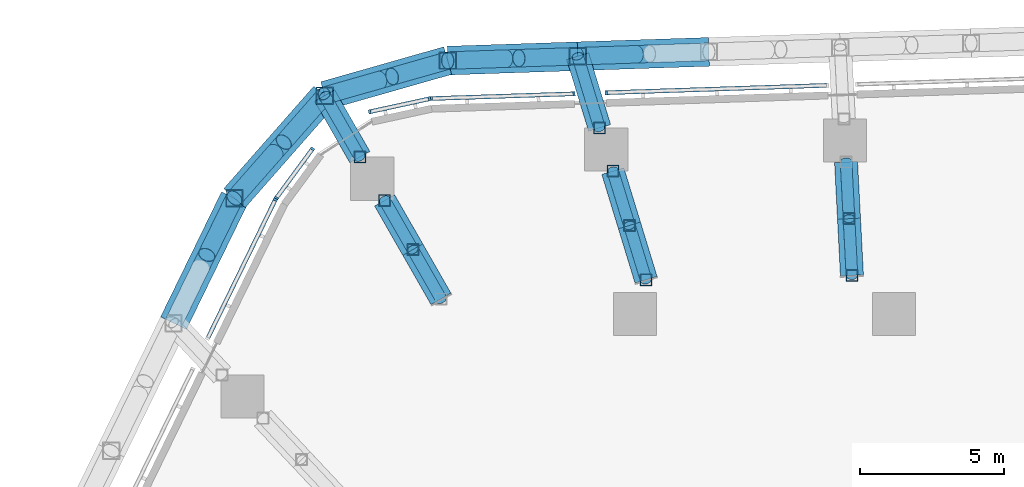
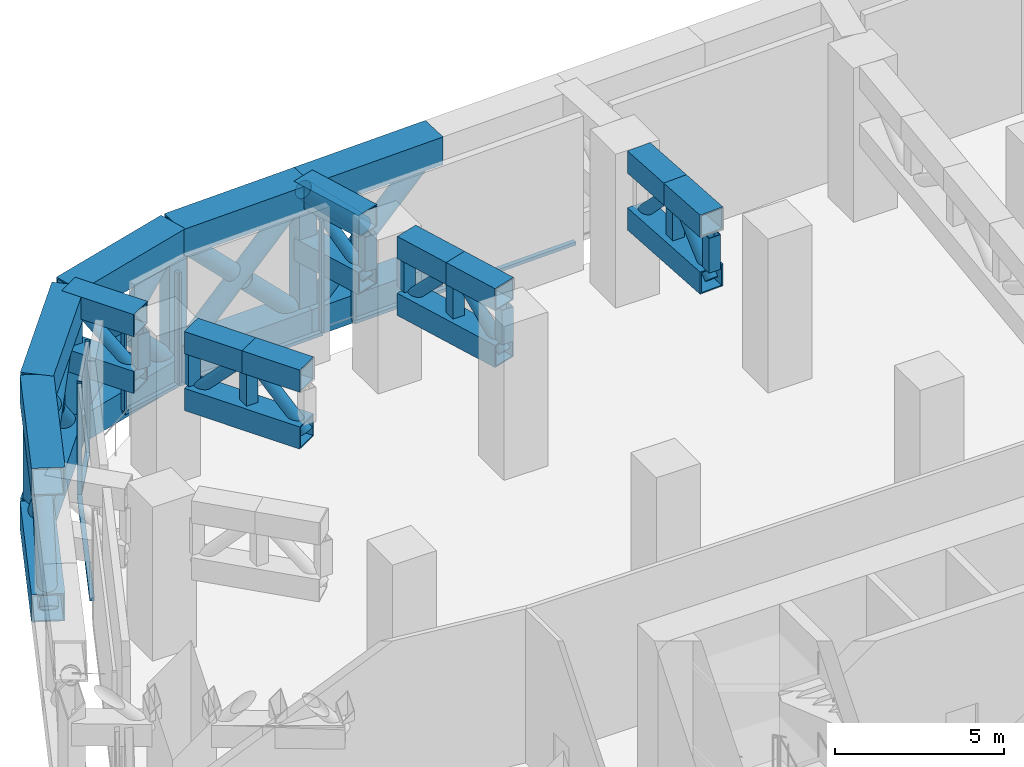
# One storey, part 13 of 38: 70 members, 3 elements without a shape of their own.
"""IFC4 building model written with IfcOpenShell, lengths in metres."""

import ifcopenshell
import ifcopenshell.guid

model = None  # the IFC model being written
_history = None  # IfcOwnerHistory: only IFC2X3 demands one
_inside = {}  # id of a spatial element -> (the spatial element, [elements in it])
_under = {}  # id of a project, library or spatial element -> (it, [spatial elements below it])
_declared = {}  # id of a project -> (the project, [libraries it declares])
_typed = {}  # id of a type object -> (the type object, [elements of that type])
_made_of = {}  # id of a material, layer set ... -> (it, [elements and type objects made of it])


def new_model(schema):
    """Start an empty IFC model of exactly this schema.

    Asked for "IFC4X3", IfcOpenShell would pick the latest addendum, in which some entities
    have other attributes; the version numbers below select the first issue.
    IFC2X3 requires an IfcOwnerHistory on every rooted entity: one is made here for all.
    """
    global model, _history
    if schema == "IFC4X3":
        model = ifcopenshell.file(schema_version=(4, 3, 0, 0))
    else:
        model = ifcopenshell.file(schema=schema)
    _inside.clear()
    _under.clear()
    _declared.clear()
    _typed.clear()
    _made_of.clear()
    _history = None
    if model.schema == "IFC2X3":
        org = make("IfcOrganization", Name="unknown")
        user = make(
            "IfcPersonAndOrganization",
            ThePerson=make("IfcPerson", FamilyName="unknown"),
            TheOrganization=org,
        )
        app = make(
            "IfcApplication",
            ApplicationDeveloper=org,
            Version="unknown",
            ApplicationFullName="unknown",
            ApplicationIdentifier="unknown",
        )
        _history = make(
            "IfcOwnerHistory",
            OwningUser=user,
            OwningApplication=app,
            ChangeAction="ADDED",
            CreationDate=0,
        )
    return model


def make(cls, **values):
    """One entity of the class cls with the attributes given. An attribute that is None is left unset."""
    return model.create_entity(
        cls, **{name: value for name, value in values.items() if value is not None}
    )


def rooted(cls, **values):
    """An entity with a GlobalId (a new one), such as an element, a storey or a relation."""
    return make(cls, GlobalId=ifcopenshell.guid.new(), OwnerHistory=_history, **values)


def si_unit(unit_type, name, prefix=None):
    """IfcSIUnit, for example si_unit("LENGTHUNIT", "METRE", prefix="MILLI")."""
    return make("IfcSIUnit", UnitType=unit_type, Prefix=prefix, Name=name)


def assignment(units):
    """IfcUnitAssignment: the units of a project."""
    return None if units is None else make("IfcUnitAssignment", Units=units)


def point(xyz):
    """IfcCartesianPoint."""
    return None if xyz is None else make("IfcCartesianPoint", Coordinates=xyz)


def direction(xyz):
    """IfcDirection."""
    return None if xyz is None else make("IfcDirection", DirectionRatios=xyz)


def frame(location, z_axis=None, x_axis=None):
    """IfcAxis2Placement3D, a coordinate frame: its origin and axes. An axis left out is left unset."""
    return make(
        "IfcAxis2Placement3D",
        Location=point(location),
        Axis=direction(z_axis),
        RefDirection=direction(x_axis),
    )


def frame_2d(location, x_axis=None):
    """IfcAxis2Placement2D, a coordinate frame in the plane: its origin and x axis."""
    return make(
        "IfcAxis2Placement2D", Location=point(location), RefDirection=direction(x_axis)
    )


def origin():
    """The frame at (0, 0, 0) with its axes left unset."""
    return frame((0.0, 0.0, 0.0))


def origin_2d():
    """The frame at (0, 0) in the plane with its x axis left unset."""
    return frame_2d((0.0, 0.0))


def place(relative_to, where):
    """IfcLocalPlacement: puts the frame where relative to a parent placement (None: the world)."""
    return make(
        "IfcLocalPlacement", PlacementRelTo=relative_to, RelativePlacement=where
    )


def context(
    kind, dimensions, precision=None, world=None, true_north=None, identifier=None
):
    """IfcGeometricRepresentationContext, for example the 3D "Model" context."""
    return make(
        "IfcGeometricRepresentationContext",
        ContextIdentifier=identifier,
        ContextType=kind,
        CoordinateSpaceDimension=dimensions,
        Precision=precision,
        WorldCoordinateSystem=world,
        TrueNorth=true_north,
    )


def subcontext(parent, identifier, kind, view, scale=None):
    """IfcGeometricRepresentationSubContext, for example "Body" below "Model"."""
    return make(
        "IfcGeometricRepresentationSubContext",
        ContextIdentifier=identifier,
        ContextType=kind,
        ParentContext=parent,
        TargetScale=scale,
        TargetView=view,
    )


def project(units=None, contexts=None):
    """IfcProject with its units and contexts."""
    return rooted(
        "IfcProject",
        Name="project",
        RepresentationContexts=contexts,
        UnitsInContext=assignment(units),
    )


def spatial(cls, under=None, at=None, **own):
    """A site, building, storey or space (cls), placed at a placement, below another one or the project."""
    s = rooted(cls, ObjectPlacement=at, **own)
    if under is not None:
        _under.setdefault(under.id(), (under, []))[1].append(s)
    return s


def profile(cls, at=None, kind="AREA", **sizes):
    """A parametric profile (cls). Its sizes go by their IFC names, for example OverallWidth=200.0."""
    return make(cls, ProfileType=kind, Position=at, **sizes)


def rectangle(**sizes):
    """IfcRectangleProfileDef."""
    return profile("IfcRectangleProfileDef", **sizes)


def hollow_rectangle(**sizes):
    """IfcRectangleHollowProfileDef."""
    return profile("IfcRectangleHollowProfileDef", **sizes)


def hollow_circle(**sizes):
    """IfcCircleHollowProfileDef."""
    return profile("IfcCircleHollowProfileDef", **sizes)


def extrude(swept, where, along, depth):
    """IfcExtrudedAreaSolid: the profile swept, set in the frame where, extruded along a direction by depth."""
    return make(
        "IfcExtrudedAreaSolid",
        SweptArea=swept,
        Position=where,
        ExtrudedDirection=direction(along),
        Depth=depth,
    )


def shape(context_of_items, identifier, shape_type, items):
    """IfcShapeRepresentation: the items that make up one representation, for example the "Body"."""
    return make(
        "IfcShapeRepresentation",
        ContextOfItems=context_of_items,
        RepresentationIdentifier=identifier,
        RepresentationType=shape_type,
        Items=items,
    )


def material(Name=None, Category=None):
    """IfcMaterial."""
    return make("IfcMaterial", Name=Name, Category=Category)


def layer(
    of_material, thickness, ventilated=None, Name=None, Category=None, Priority=None
):
    """IfcMaterialLayer: one layer of a wall or slab, of a material (None: an air gap)."""
    return make(
        "IfcMaterialLayer",
        Material=of_material,
        LayerThickness=thickness,
        IsVentilated=ventilated,
        Name=Name,
        Category=Category,
        Priority=Priority,
    )


def layer_set(layers, Name=None):
    """IfcMaterialLayerSet."""
    return make("IfcMaterialLayerSet", MaterialLayers=layers, LayerSetName=Name)


def material_profile(
    of_material, cross_section, Name=None, Category=None, Priority=None
):
    """IfcMaterialProfile: a cross section and its material."""
    return make(
        "IfcMaterialProfile",
        Name=Name,
        Material=of_material,
        Profile=cross_section,
        Priority=Priority,
        Category=Category,
    )


def profile_set(profiles, Name=None, composite=None):
    """IfcMaterialProfileSet."""
    return make(
        "IfcMaterialProfileSet",
        Name=Name,
        MaterialProfiles=profiles,
        CompositeProfile=composite,
    )


def made_of(thing, what):
    """Note that an element or type object is made of a material, layer set ...; save() writes the relation."""
    if what is not None:
        _made_of.setdefault(what.id(), (what, []))[1].append(thing)
    return thing


def type_object(cls, material=None, **own):
    """A type object (cls), such as IfcWallType, which elements share."""
    return made_of(rooted(cls, **own), material)


def element(
    cls,
    number,
    at=None,
    inside=None,
    cuts=None,
    type_object=None,
    material=None,
    context=None,
    identifier="Body",
    shape_type=None,
    held_by="IfcProductDefinitionShape",
    body=None,
    shapes=None,
    **own,
):
    """One element of the class cls, such as IfcWall. Its Tag is "e" and its number.

    at: its placement. inside: the storey or other place that contains it. cuts: it is an
    opening in that element (IfcRelVoidsElement). A single representation is given by context,
    identifier, shape_type and body (its items); several are given by shapes. held_by: the class
    of the entity that holds the representations. save() writes the other relations.
    """
    e = rooted(cls, Tag="e%d" % number, ObjectPlacement=at, **own)
    if body is not None:
        shapes = [shape(context, identifier, shape_type, body)]
    if shapes is not None:
        e.Representation = make(held_by, Representations=shapes)
    if inside is not None:
        _inside.setdefault(inside.id(), (inside, []))[1].append(e)
    if cuts is not None:
        rooted(
            "IfcRelVoidsElement", RelatingBuildingElement=cuts, RelatedOpeningElement=e
        )
    if type_object is not None:
        _typed.setdefault(type_object.id(), (type_object, []))[1].append(e)
    return made_of(e, material)


def aggregate(whole, parts):
    """IfcRelAggregates: a whole, such as a stair, and the parts it consists of."""
    return rooted("IfcRelAggregates", RelatingObject=whole, RelatedObjects=parts)


def save(model, path):
    """Write the relations noted so far, then the file.

    IfcRelAggregates (storeys below a building ...), IfcRelContainedInSpatialStructure (elements
    in a storey), IfcRelDefinesByType, IfcRelAssociatesMaterial and IfcRelDeclares: one each for
    every whole, place, type object, material and project.
    """
    for whole, parts in _under.values():
        aggregate(whole, parts)
    for where, things in _inside.values():
        rooted(
            "IfcRelContainedInSpatialStructure",
            RelatedElements=things,
            RelatingStructure=where,
        )
    for kind, things in _typed.values():
        rooted("IfcRelDefinesByType", RelatedObjects=things, RelatingType=kind)
    for what, things in _made_of.values():
        rooted("IfcRelAssociatesMaterial", RelatedObjects=things, RelatingMaterial=what)
    for by, libraries in _declared.values():
        rooted("IfcRelDeclares", RelatingContext=by, RelatedDefinitions=libraries)
    model.write(path)


model = new_model("IFC4")

# Units and contexts
model_context = context("Model", 3, precision=1e-05, world=origin(), true_north=direction((0.0, 1.0)))
body_context = subcontext(model_context, "Body", "Model", "MODEL_VIEW")
ifc_project = project(units=[si_unit("LENGTHUNIT", "METRE"), si_unit("AREAUNIT", "SQUARE_METRE"), si_unit("VOLUMEUNIT", "CUBIC_METRE"), si_unit("PLANEANGLEUNIT", "RADIAN"), si_unit("MASSUNIT", "GRAM", prefix="KILO")], contexts=[model_context])

# Site, building, storey
site_placement = place(None, origin())
site = spatial("IfcSite", under=ifc_project, at=site_placement, CompositionType="ELEMENT")
building_placement = place(site_placement, origin())
building = spatial("IfcBuilding", under=site, at=building_placement, Name="Dongbaek Canopy Tower", CompositionType="ELEMENT")
storey_placement = place(building_placement, frame((0.0, 0.0, 89.199951171875)))
storey = spatial("IfcBuildingStorey", under=building, at=storey_placement, Name="L18", CompositionType="ELEMENT", Elevation=89.199951171875)

# Members
ifc_material_1 = material(Name="Steel S355", Category="steel")
ifc_material_profile_1 = material_profile(ifc_material_1, hollow_circle(Radius=0.304931640625, WallThickness=0.01611328125, at=origin_2d()), Name="BELT BRACE CHS 610.0x16.0 Steel S355")
ifc_profile_set_1 = profile_set([ifc_material_profile_1], Name="Steel S355")
member_type_1 = type_object("IfcMemberType", Name="BELT BRACE CHS 610.0x16.0 Steel S355", PredefinedType="BRACE", material=ifc_profile_set_1)
member_1_placement = place(storey_placement, frame((-25.04638671875, 26.6796875, 0.5), z_axis=(0.319174364896, 0.654421465152, 0.68546354443), x_axis=(-0.898798543269, 0.438361926515, 0.0)))
element("IfcMember", 1, at=member_1_placement, inside=storey, type_object=member_type_1, Name="BELT:L18:12:D0:0", PredefinedType="BRACE", context=body_context, shape_type="SweptSolid", body=[
    extrude(hollow_circle(Radius=0.304931640625, WallThickness=0.01611328125, at=origin_2d()), origin(), (0.0, 0.0, 1.0), 6.637939453125),
])
member_2_placement = place(storey_placement, frame((-22.927734375, 31.023681640625, 0.5), z_axis=(-0.319119163322, -0.654441381394, 0.685470231243), x_axis=(0.898833668077, -0.438289900787, 0.0)))
element("IfcMember", 2, at=member_2_placement, inside=storey, type_object=member_type_1, Name="BELT:L18:12:D0:1", PredefinedType="BRACE", context=body_context, shape_type="SweptSolid", body=[
    extrude(hollow_circle(Radius=0.304931640625, WallThickness=0.01611328125, at=origin_2d()), origin(), (0.0, 0.0, 1.0), 3.013427734375),
])
member_3_placement = place(storey_placement, frame((-22.927734375, 31.023681640625, 0.5), z_axis=(0.476870518357, 0.542029951533, 0.691952339662), x_axis=(-0.750793087621, 0.660537462662, 0.0)))
element("IfcMember", 3, at=member_3_placement, inside=storey, type_object=member_type_1, Name="BELT:L18:12:D1:0", PredefinedType="BRACE", context=body_context, shape_type="SweptSolid", body=[
    extrude(hollow_circle(Radius=0.304931640625, WallThickness=0.01611328125, at=origin_2d()), origin(), (0.0, 0.0, 1.0), 6.57568359375),
])
member_4_placement = place(storey_placement, frame((-19.7919921875, 34.587890625, 0.5), z_axis=(-0.476863405216, -0.542016730062, 0.691967598301), x_axis=(0.750789983347, -0.660540991087, 0.0)))
element("IfcMember", 4, at=member_4_placement, inside=storey, type_object=member_type_1, Name="BELT:L18:12:D1:1", PredefinedType="BRACE", context=body_context, shape_type="SweptSolid", body=[
    extrude(hollow_circle(Radius=0.304931640625, WallThickness=0.01611328125, at=origin_2d()), origin(), (0.0, 0.0, 1.0), 2.982666015625),
])
member_5_placement = place(storey_placement, frame((-22.927734375, 31.023681640625, 5.050048828125), z_axis=(0.476827171293, 0.542068588549, -0.691951944882), x_axis=(-0.750846212177, 0.660477074287, 0.0)))
element("IfcMember", 5, at=member_5_placement, inside=storey, type_object=member_type_1, Name="BELT:L18:12:D1:2", PredefinedType="BRACE", context=body_context, shape_type="SweptSolid", body=[
    extrude(hollow_circle(Radius=0.304931640625, WallThickness=0.01611328125, at=origin_2d()), origin(), (0.0, 0.0, 1.0), 2.982421875),
])
member_6_placement = place(storey_placement, frame((-19.7919921875, 34.587890625, 0.5), z_axis=(0.672261416655, 0.191329152545, 0.715162738867), x_axis=(-0.273734842709, 0.961805196434, 0.0)))
element("IfcMember", 6, at=member_6_placement, inside=storey, type_object=member_type_1, Name="BELT:L18:13:D0:0", PredefinedType="BRACE", context=body_context, shape_type="SweptSolid", body=[
    extrude(hollow_circle(Radius=0.304931640625, WallThickness=0.01611328125, at=origin_2d()), origin(), (0.0, 0.0, 1.0), 6.3623046875),
])
member_7_placement = place(storey_placement, frame((-15.514892578125, 35.80517578125, 0.5), z_axis=(-0.672279612432, -0.191328061417, 0.715145926104), x_axis=(0.273726544913, -0.961807557992, 0.0)))
element("IfcMember", 7, at=member_7_placement, inside=storey, type_object=member_type_1, Name="BELT:L18:13:D0:1", PredefinedType="BRACE", context=body_context, shape_type="SweptSolid", body=[
    extrude(hollow_circle(Radius=0.304931640625, WallThickness=0.01611328125, at=origin_2d()), origin(), (0.0, 0.0, 1.0), 2.876220703125),
])
member_8_placement = place(storey_placement, frame((-19.7919921875, 34.587890625, 5.050048828125), z_axis=(0.672233088727, 0.191338979921, -0.715186737281), x_axis=(-0.273758520372, 0.961798457331, 0.0)))
element("IfcMember", 8, at=member_8_placement, inside=storey, type_object=member_type_1, Name="BELT:L18:13:D0:2", PredefinedType="BRACE", context=body_context, shape_type="SweptSolid", body=[
    extrude(hollow_circle(Radius=0.304931640625, WallThickness=0.01611328125, at=origin_2d()), origin(), (0.0, 0.0, 1.0), 2.8759765625),
])
member_9_placement = place(storey_placement, frame((-15.514892578125, 35.80517578125, 0.5), z_axis=(0.704336168829, 0.02356416001, 0.709475363661), x_axis=(-0.033437134863, 0.999440822666, 0.0)))
element("IfcMember", 9, at=member_9_placement, inside=storey, type_object=member_type_1, Name="BELT:L18:13:D1:0", PredefinedType="BRACE", context=body_context, shape_type="SweptSolid", body=[
    extrude(hollow_circle(Radius=0.304931640625, WallThickness=0.01611328125, at=origin_2d()), origin(), (0.0, 0.0, 1.0), 6.413330078125),
])
for number, where, z_axis, x_axis, name in (
    (10, (-10.997802734375, 35.956298828125, 0.5), (-0.704339575672, -0.023559321609, 0.709472142165), (0.03343011541, -0.999441057483, 0.0), "BELT:L18:13:D1:1"),
    (11, (-15.514892578125, 35.80517578125, 5.050048828125), (0.704339575672, 0.023559321609, -0.709472142165), (-0.03343011541, 0.999441057483, 0.0), "BELT:L18:13:D1:2"),
):
    element("IfcMember", number, at=place(storey_placement, frame(where, z_axis=z_axis, x_axis=x_axis)), inside=storey, type_object=member_type_1, Name=name, PredefinedType="BRACE", context=body_context, shape_type="SweptSolid", body=[
        extrude(hollow_circle(Radius=0.304931640625, WallThickness=0.01611328125, at=origin_2d()), origin(), (0.0, 0.0, 1.0), 2.901611328125),
    ])
member_10_placement = place(storey_placement, frame((-10.997802734375, 35.956298828125, 0.5), z_axis=(0.707798237892, 0.023676616286, 0.706017756348), x_axis=(-0.033432381372, 0.999440981687, 0.0)))
element("IfcMember", 12, at=member_10_placement, inside=storey, type_object=member_type_1, Name="BELT:L18:14:D0:0", PredefinedType="BRACE", context=body_context, shape_type="SweptSolid", body=[
    extrude(hollow_circle(Radius=0.304931640625, WallThickness=0.01611328125, at=origin_2d()), origin(), (0.0, 0.0, 1.0), 6.444580078125),
])
member_11_placement = place(storey_placement, frame((-10.997802734375, 35.956298828125, 5.050048828125), z_axis=(0.707786585212, 0.023682147507, -0.706029252711), x_axis=(-0.033440732886, 0.999440702285, 0.0)))
element("IfcMember", 13, at=member_11_placement, inside=storey, type_object=member_type_1, Name="BELT:L18:14:D0:2", PredefinedType="BRACE", context=body_context, shape_type="SweptSolid", body=[
    extrude(hollow_circle(Radius=0.304931640625, WallThickness=0.01611328125, at=origin_2d()), origin(), (0.0, 0.0, 1.0), 2.91748046875),
])
ifc_material_2 = material(Name="Steel S355", Category="steel")
ifc_material_profile_2 = material_profile(ifc_material_2, hollow_rectangle(XDim=1.0, YDim=1.0, WallThickness=0.050048828125, at=origin_2d()), Name="BELT CHORD BOX 1000x1000x50 Steel S355")
ifc_profile_set_2 = profile_set([ifc_material_profile_2], Name="Steel S355")
member_type_2 = type_object("IfcMemberType", Name="BELT CHORD BOX 1000x1000x50 Steel S355", PredefinedType="CHORD", material=ifc_profile_set_2)
for number, where, z_axis, x_axis, name in (
    (14, (-25.04638671875, 26.6796875, 0.5), (0.438361926515, 0.898798543269, 0.0), (-0.898798543269, 0.438361926515, 0.0), "BELT:L18:12:CB0"),
    (15, (-25.04638671875, 26.6796875, 5.050048828125), (0.438361926515, 0.898798543269, 0.0), (-0.898798543269, 0.438361926515, 0.0), "BELT:L18:12:CT0"),
):
    element("IfcMember", number, at=place(storey_placement, frame(where, z_axis=z_axis, x_axis=x_axis)), inside=storey, type_object=member_type_2, Name=name, PredefinedType="CHORD", context=body_context, shape_type="SweptSolid", body=[
        extrude(hollow_rectangle(XDim=1.0, YDim=1.0, WallThickness=0.050048828125, at=origin_2d()), origin(), (0.0, 0.0, 1.0), 4.8330078125),
    ])
for number, where, z_axis, x_axis, name in (
    (16, (-22.927734375, 31.023681640625, 0.5), (0.660537462662, 0.750793087621, 0.0), (-0.750793087621, 0.660537462662, 0.0), "BELT:L18:12:CB1"),
    (17, (-22.927734375, 31.023681640625, 5.050048828125), (0.660537462662, 0.750793087621, 0.0), (-0.750793087621, 0.660537462662, 0.0), "BELT:L18:12:CT1"),
):
    element("IfcMember", number, at=place(storey_placement, frame(where, z_axis=z_axis, x_axis=x_axis)), inside=storey, type_object=member_type_2, Name=name, PredefinedType="CHORD", context=body_context, shape_type="SweptSolid", body=[
        extrude(hollow_rectangle(XDim=1.0, YDim=1.0, WallThickness=0.050048828125, at=origin_2d()), origin(), (0.0, 0.0, 1.0), 4.747314453125),
    ])
for number, where, z_axis, x_axis, name in (
    (18, (-19.7919921875, 34.587890625, 0.5), (0.961805196434, 0.273734842709, 0.0), (-0.273734842709, 0.961805196434, 0.0), "BELT:L18:13:CB0"),
    (19, (-19.7919921875, 34.587890625, 5.050048828125), (0.961805196434, 0.273734842709, 0.0), (-0.273734842709, 0.961805196434, 0.0), "BELT:L18:13:CT0"),
):
    element("IfcMember", number, at=place(storey_placement, frame(where, z_axis=z_axis, x_axis=x_axis)), inside=storey, type_object=member_type_2, Name=name, PredefinedType="CHORD", context=body_context, shape_type="SweptSolid", body=[
        extrude(hollow_rectangle(XDim=1.0, YDim=1.0, WallThickness=0.050048828125, at=origin_2d()), origin(), (0.0, 0.0, 1.0), 4.447021484375),
    ])
for number, where, z_axis, x_axis, name in (
    (20, (-15.514892578125, 35.80517578125, 0.5), (0.999440822666, 0.033437134863, 0.0), (-0.033437134863, 0.999440822666, 0.0), "BELT:L18:13:CB1"),
    (21, (-15.514892578125, 35.80517578125, 5.050048828125), (0.999440822666, 0.033437134863, 0.0), (-0.033437134863, 0.999440822666, 0.0), "BELT:L18:13:CT1"),
):
    element("IfcMember", number, at=place(storey_placement, frame(where, z_axis=z_axis, x_axis=x_axis)), inside=storey, type_object=member_type_2, Name=name, PredefinedType="CHORD", context=body_context, shape_type="SweptSolid", body=[
        extrude(hollow_rectangle(XDim=1.0, YDim=1.0, WallThickness=0.050048828125, at=origin_2d()), origin(), (0.0, 0.0, 1.0), 4.51953125),
    ])
for number, where, z_axis, x_axis, name in (
    (22, (-10.997802734375, 35.956298828125, 0.5), (0.999440981687, 0.033432381372, 0.0), (-0.033432381372, 0.999440981687, 0.0), "BELT:L18:14:CB0"),
    (23, (-10.997802734375, 35.956298828125, 5.050048828125), (0.999440981687, 0.033432381372, 0.0), (-0.033432381372, 0.999440981687, 0.0), "BELT:L18:14:CT0"),
):
    element("IfcMember", number, at=place(storey_placement, frame(where, z_axis=z_axis, x_axis=x_axis)), inside=storey, type_object=member_type_2, Name=name, PredefinedType="CHORD", context=body_context, shape_type="SweptSolid", body=[
        extrude(hollow_rectangle(XDim=1.0, YDim=1.0, WallThickness=0.050048828125, at=origin_2d()), origin(), (0.0, 0.0, 1.0), 4.56396484375),
    ])
ifc_material_3 = material(Name="Steel S355", Category="steel")
ifc_material_profile_3 = material_profile(ifc_material_3, hollow_rectangle(XDim=0.60009765625, YDim=0.60009765625, WallThickness=0.031982421875, at=origin_2d()), Name="BELT POST BOX 600x600x32 Steel S355")
ifc_profile_set_3 = profile_set([ifc_material_profile_3], Name="Steel S355")
member_type_3 = type_object("IfcMemberType", Name="BELT POST BOX 600x600x32 Steel S355", PredefinedType="POST", material=ifc_profile_set_3)
for number, where, z_axis, x_axis, name in (
    (24, (-22.927734375, 31.023681640625, 1.0), (0.0, 0.0, 1.0), (1.0, 0.0, 0.0), "BELT:L18:12:P1"),
    (25, (-19.7919921875, 34.587890625, 1.0), (0.0, 0.0, 1.0), (1.0, 0.0, 0.0), "BELT:L18:13:P0"),
    (26, (-15.514892578125, 35.80517578125, 1.0), (0.0, 0.0, 1.0), (1.0, 0.0, 0.0), "BELT:L18:13:P1"),
    (27, (-10.997802734375, 35.956298828125, 1.0), (0.0, 0.0, 1.0), (1.0, 0.0, 0.0), "BELT:L18:14:P0"),
):
    element("IfcMember", number, at=place(storey_placement, frame(where, z_axis=z_axis, x_axis=x_axis)), inside=storey, type_object=member_type_3, Name=name, PredefinedType="POST", context=body_context, shape_type="SweptSolid", body=[
        extrude(hollow_rectangle(XDim=0.60009765625, YDim=0.60009765625, WallThickness=0.031982421875, at=origin_2d()), origin(), (0.0, 0.0, 1.0), 3.550048828125),
    ])
ifc_material_4 = material(Name="Steel S355", Category="steel")
ifc_material_profile_4 = material_profile(ifc_material_4, hollow_circle(Radius=0.203125, WallThickness=0.0126953125, at=origin_2d()), Name="BRACE CHS 406.4x12.7 Steel S355")
ifc_profile_set_4 = profile_set([ifc_material_profile_4], Name="Steel S355")
member_type_4 = type_object("IfcMemberType", Name="BRACE CHS 406.4x12.7 Steel S355", PredefinedType="BRACE", material=ifc_profile_set_4)
member_12_placement = place(storey_placement, frame((-15.748046875, 27.5205078125, 3.10009765625), z_axis=(-0.344588273566, 0.602214747879, 0.720136319844), x_axis=(-0.867953949361, -0.496644683642, 0.0)))
element("IfcMember", 28, at=member_12_placement, inside=storey, type_object=member_type_4, Name="TRUSS:L18:13:D0", PredefinedType="BRACE", context=body_context, shape_type="SweptSolid", body=[
    extrude(hollow_circle(Radius=0.203125, WallThickness=0.0126953125, at=origin_2d()), origin(), (0.0, 0.0, 1.0), 2.8466796875),
])
member_13_placement = place(storey_placement, frame((-16.72900390625, 29.23486328125, 5.150146484375), z_axis=(-0.344530486524, 0.602177880479, -0.720194795953), x_axis=(-0.867976746128, -0.496604841076, 0.0)))
element("IfcMember", 29, at=member_13_placement, inside=storey, type_object=member_type_4, Name="TRUSS:L18:13:D1", PredefinedType="BRACE", context=body_context, shape_type="SweptSolid", body=[
    extrude(hollow_circle(Radius=0.203125, WallThickness=0.0126953125, at=origin_2d()), origin(), (0.0, 0.0, 1.0), 2.846435546875),
])
for number, where, z_axis, x_axis, name in (
    (30, (-8.621337890625, 28.186767578125, 3.10009765625), (-0.202917697493, 0.663470544296, 0.720160568828), (-0.956274770257, -0.292469765567, 0.0), "TRUSS:L18:14:D0"),
    (31, (-9.198974609375, 30.075439453125, 5.150146484375), (-0.202917697493, 0.663470544296, -0.720160568828), (-0.956274770257, -0.292469765567, 0.0), "TRUSS:L18:14:D1"),
):
    element("IfcMember", number, at=place(storey_placement, frame(where, z_axis=z_axis, x_axis=x_axis)), inside=storey, type_object=member_type_4, Name=name, PredefinedType="BRACE", context=body_context, shape_type="SweptSolid", body=[
        extrude(hollow_circle(Radius=0.203125, WallThickness=0.0126953125, at=origin_2d()), origin(), (0.0, 0.0, 1.0), 2.8466796875),
    ])
member_14_placement = place(storey_placement, frame((-1.465087890625, 28.33740234375, 3.10009765625), z_axis=(-0.035851322243, 0.692839667657, 0.720199887264), x_axis=(-0.998663885152, -0.051676343649, 0.0)))
element("IfcMember", 32, at=member_14_placement, inside=storey, type_object=member_type_4, Name="TRUSS:L18:15:D0", PredefinedType="BRACE", context=body_context, shape_type="SweptSolid", body=[
    extrude(hollow_circle(Radius=0.203125, WallThickness=0.0126953125, at=origin_2d()), origin(), (0.0, 0.0, 1.0), 2.846435546875),
])
member_15_placement = place(storey_placement, frame((-1.567138671875, 30.3095703125, 5.150146484375), z_axis=(-0.035849191873, 0.692884261114, -0.720157091295), x_axis=(-0.998664215232, -0.051669964348, 0.0)))
element("IfcMember", 33, at=member_15_placement, inside=storey, type_object=member_type_4, Name="TRUSS:L18:15:D1", PredefinedType="BRACE", context=body_context, shape_type="SweptSolid", body=[
    extrude(hollow_circle(Radius=0.203125, WallThickness=0.0126953125, at=origin_2d()), origin(), (0.0, 0.0, 1.0), 2.8466796875),
])
member_16_placement = place(storey_placement, frame((-18.568115234375, 32.448974609375, 3.10009765625), z_axis=(-0.381799626279, 0.667254443612, 0.639531510446), x_axis=(-0.867956455015, -0.496640304645, 0.0)))
element("IfcMember", 34, at=member_16_placement, inside=storey, type_object=member_type_4, Name="TRUSS:L18:13x:D0", PredefinedType="BRACE", context=body_context, shape_type="SweptSolid", body=[
    extrude(hollow_circle(Radius=0.203125, WallThickness=0.0126953125, at=origin_2d()), origin(), (0.0, 0.0, 1.0), 3.20556640625),
])
member_17_placement = place(storey_placement, frame((-10.2353515625, 33.464111328125, 3.10009765625), z_axis=(-0.229939623866, 0.751592596999, 0.618252648609), x_axis=(-0.9562497051, -0.292551707389, 0.0)))
element("IfcMember", 35, at=member_17_placement, inside=storey, type_object=member_type_4, Name="TRUSS:L18:14x:D0", PredefinedType="BRACE", context=body_context, shape_type="SweptSolid", body=[
    extrude(hollow_circle(Radius=0.203125, WallThickness=0.0126953125, at=origin_2d()), origin(), (0.0, 0.0, 1.0), 3.31591796875),
])
ifc_material_5 = material(Name="Steel S355", Category="steel")
ifc_material_profile_5 = material_profile(ifc_material_5, hollow_rectangle(XDim=0.800048828125, YDim=0.800048828125, WallThickness=0.0400390625, at=origin_2d()), Name="CHORD BOX 800x800x40 Steel S355")
ifc_profile_set_5 = profile_set([ifc_material_profile_5], Name="Steel S355")
member_type_5 = type_object("IfcMemberType", Name="CHORD BOX 800x800x40 Steel S355", PredefinedType="CHORD", material=ifc_profile_set_5)
member_18_placement = place(storey_placement, frame((-15.748046875, 27.5205078125, 3.10009765625), z_axis=(-0.49662476417, 0.867965347012, 0.0), x_axis=(-0.867965347012, -0.49662476417, 0.0)))
element("IfcMember", 36, at=member_18_placement, inside=storey, type_object=member_type_5, Name="TRUSS:L18:13:CB", PredefinedType="CHORD", context=body_context, shape_type="SweptSolid", body=[
    extrude(hollow_rectangle(XDim=0.800048828125, YDim=0.800048828125, WallThickness=0.0400390625, at=origin_2d()), origin(), (0.0, 0.0, 1.0), 3.949951171875),
])
member_19_placement = place(storey_placement, frame((-15.748046875, 27.5205078125, 5.150146484375), z_axis=(-0.496644683642, 0.867953949361, 0.0), x_axis=(-0.867953949361, -0.496644683642, 0.0)))
element("IfcMember", 37, at=member_19_placement, inside=storey, type_object=member_type_5, Name="TRUSS:L18:13:CT0", PredefinedType="CHORD", context=body_context, shape_type="SweptSolid", body=[
    extrude(hollow_rectangle(XDim=0.800048828125, YDim=0.800048828125, WallThickness=0.0400390625, at=origin_2d()), origin(), (0.0, 0.0, 1.0), 1.97509765625),
])
member_20_placement = place(storey_placement, frame((-16.72900390625, 29.23486328125, 5.150146484375), z_axis=(-0.496604841076, 0.867976746128, 0.0), x_axis=(-0.867976746128, -0.496604841076, 0.0)))
element("IfcMember", 38, at=member_20_placement, inside=storey, type_object=member_type_5, Name="TRUSS:L18:13:CT1", PredefinedType="CHORD", context=body_context, shape_type="SweptSolid", body=[
    extrude(hollow_rectangle(XDim=0.800048828125, YDim=0.800048828125, WallThickness=0.0400390625, at=origin_2d()), origin(), (0.0, 0.0, 1.0), 1.974853515625),
])
member_21_placement = place(storey_placement, frame((-8.621337890625, 28.186767578125, 3.10009765625), z_axis=(-0.292469765567, 0.956274770257, 0.0), x_axis=(-0.956274770257, -0.292469765567, 0.0)))
element("IfcMember", 39, at=member_21_placement, inside=storey, type_object=member_type_5, Name="TRUSS:L18:14:CB", PredefinedType="CHORD", context=body_context, shape_type="SweptSolid", body=[
    extrude(hollow_rectangle(XDim=0.800048828125, YDim=0.800048828125, WallThickness=0.0400390625, at=origin_2d()), origin(), (0.0, 0.0, 1.0), 3.949951171875),
])
for number, where, z_axis, x_axis, name in (
    (40, (-8.621337890625, 28.186767578125, 5.150146484375), (-0.292469765567, 0.956274770257, 0.0), (-0.956274770257, -0.292469765567, 0.0), "TRUSS:L18:14:CT0"),
    (41, (-9.198974609375, 30.075439453125, 5.150146484375), (-0.292469765567, 0.956274770257, 0.0), (-0.956274770257, -0.292469765567, 0.0), "TRUSS:L18:14:CT1"),
):
    element("IfcMember", number, at=place(storey_placement, frame(where, z_axis=z_axis, x_axis=x_axis)), inside=storey, type_object=member_type_5, Name=name, PredefinedType="CHORD", context=body_context, shape_type="SweptSolid", body=[
        extrude(hollow_rectangle(XDim=0.800048828125, YDim=0.800048828125, WallThickness=0.0400390625, at=origin_2d()), origin(), (0.0, 0.0, 1.0), 1.97509765625),
    ])
member_22_placement = place(storey_placement, frame((-1.465087890625, 28.33740234375, 3.10009765625), z_axis=(-0.051673153802, 0.998664050207, 0.0), x_axis=(-0.998664050207, -0.051673153802, 0.0)))
element("IfcMember", 42, at=member_22_placement, inside=storey, type_object=member_type_5, Name="TRUSS:L18:15:CB", PredefinedType="CHORD", context=body_context, shape_type="SweptSolid", body=[
    extrude(hollow_rectangle(XDim=0.800048828125, YDim=0.800048828125, WallThickness=0.0400390625, at=origin_2d()), origin(), (0.0, 0.0, 1.0), 3.949951171875),
])
member_23_placement = place(storey_placement, frame((-1.465087890625, 28.33740234375, 5.150146484375), z_axis=(-0.051676343649, 0.998663885152, 0.0), x_axis=(-0.998663885152, -0.051676343649, 0.0)))
element("IfcMember", 43, at=member_23_placement, inside=storey, type_object=member_type_5, Name="TRUSS:L18:15:CT0", PredefinedType="CHORD", context=body_context, shape_type="SweptSolid", body=[
    extrude(hollow_rectangle(XDim=0.800048828125, YDim=0.800048828125, WallThickness=0.0400390625, at=origin_2d()), origin(), (0.0, 0.0, 1.0), 1.974853515625),
])
member_24_placement = place(storey_placement, frame((-1.567138671875, 30.3095703125, 5.150146484375), z_axis=(-0.051669964348, 0.998664215232, 0.0), x_axis=(-0.998664215232, -0.051669964348, 0.0)))
element("IfcMember", 44, at=member_24_placement, inside=storey, type_object=member_type_5, Name="TRUSS:L18:15:CT1", PredefinedType="CHORD", context=body_context, shape_type="SweptSolid", body=[
    extrude(hollow_rectangle(XDim=0.800048828125, YDim=0.800048828125, WallThickness=0.0400390625, at=origin_2d()), origin(), (0.0, 0.0, 1.0), 1.97509765625),
])
for number, where, z_axis, x_axis, name in (
    (45, (-18.568115234375, 32.448974609375, 3.10009765625), (-0.496640304645, 0.867956455015, 0.0), (-0.867956455015, -0.496640304645, 0.0), "TRUSS:L18:13x:CB"),
    (46, (-18.568115234375, 32.448974609375, 5.150146484375), (-0.496640304645, 0.867956455015, 0.0), (-0.867956455015, -0.496640304645, 0.0), "TRUSS:L18:13x:CT0"),
):
    element("IfcMember", number, at=place(storey_placement, frame(where, z_axis=z_axis, x_axis=x_axis)), inside=storey, type_object=member_type_5, Name=name, PredefinedType="CHORD", context=body_context, shape_type="SweptSolid", body=[
        extrude(hollow_rectangle(XDim=0.800048828125, YDim=0.800048828125, WallThickness=0.0400390625, at=origin_2d()), origin(), (0.0, 0.0, 1.0), 2.46435546875),
    ])
for number, where, z_axis, x_axis, name in (
    (47, (-10.2353515625, 33.464111328125, 3.10009765625), (-0.292551707389, 0.9562497051, 0.0), (-0.9562497051, -0.292551707389, 0.0), "TRUSS:L18:14x:CB"),
    (48, (-10.2353515625, 33.464111328125, 5.150146484375), (-0.292551707389, 0.9562497051, 0.0), (-0.9562497051, -0.292551707389, 0.0), "TRUSS:L18:14x:CT0"),
):
    element("IfcMember", number, at=place(storey_placement, frame(where, z_axis=z_axis, x_axis=x_axis)), inside=storey, type_object=member_type_5, Name=name, PredefinedType="CHORD", context=body_context, shape_type="SweptSolid", body=[
        extrude(hollow_rectangle(XDim=0.800048828125, YDim=0.800048828125, WallThickness=0.0400390625, at=origin_2d()), origin(), (0.0, 0.0, 1.0), 2.606201171875),
    ])

# Curtain wall, members
ifc_material_6 = material(Name="Aluminium 6063-T6 pale anodised", Category="aluminium")
ifc_layer = layer(ifc_material_6, 0.14990234375)
ifc_layer_set = layer_set([ifc_layer], Name="CW-7 louvre curtain wall")
curtain_wall_type = type_object("IfcCurtainWallType", Name="CW-7 louvre curtain wall", PredefinedType="NOTDEFINED", material=ifc_layer_set)
curtain_wall_1_placement = place(storey_placement, origin())
curtain_wall_1 = element("IfcCurtainWall", 49, at=curtain_wall_1_placement, inside=storey, type_object=curtain_wall_type, Name="CW-7 louvre wall L18 F1", PredefinedType="NOTDEFINED")
ifc_material_7 = material(Name="Aluminium 6063-T6 pale anodised", Category="aluminium")
ifc_material_profile_6 = material_profile(ifc_material_7, rectangle(XDim=0.14990234375, YDim=0.080078125, at=origin_2d()), Name="CW-7 mullion 80 x 150")
ifc_profile_set_6 = profile_set([ifc_material_profile_6], Name="Aluminium 6063-T6 pale anodised")
member_type_6 = type_object("IfcMemberType", Name="CW-7 mullion 80 x 150", PredefinedType="MULLION", material=ifc_profile_set_6)
member_25_placement = place(storey_placement, frame((-10.009765625, 34.688720703125, 0.775146484375), z_axis=(0.0, 0.0, 1.0), x_axis=(-0.033442077166, 0.999440657305, 0.0)))
member_25 = element("IfcMember", 50, at=member_25_placement, type_object=member_type_6, Name="CW-7 mullion L18 F1.3.2", PredefinedType="MULLION", context=body_context, shape_type="SweptSolid", body=[
    extrude(rectangle(XDim=0.14990234375, YDim=0.080078125, at=origin_2d()), origin(), (0.0, 0.0, 1.0), 4.0),
])
member_26_placement = place(storey_placement, frame((-11.123779296875, 34.6513671875, 0.775146484375), z_axis=(0.0, 0.0, 1.0), x_axis=(-0.033442077166, 0.999440657305, 0.0)))
member_26 = element("IfcMember", 51, at=member_26_placement, type_object=member_type_6, Name="CW-7 mullion L18 F1.4.1", PredefinedType="MULLION", context=body_context, shape_type="SweptSolid", body=[
    extrude(rectangle(XDim=0.14990234375, YDim=0.080078125, at=origin_2d()), origin(), (0.0, 0.0, 1.0), 4.0),
])
member_27_placement = place(storey_placement, frame((-16.0859375, 34.4853515625, 0.775146484375), z_axis=(0.0, 0.0, 1.0), x_axis=(-0.033442077166, 0.999440657305, 0.0)))
member_27 = element("IfcMember", 52, at=member_27_placement, type_object=member_type_6, Name="CW-7 mullion L18 F1.4.2", PredefinedType="MULLION", context=body_context, shape_type="SweptSolid", body=[
    extrude(rectangle(XDim=0.14990234375, YDim=0.080078125, at=origin_2d()), origin(), (0.0, 0.0, 1.0), 4.0),
])

curtain_wall_2_placement = place(storey_placement, origin())
curtain_wall_2 = element("IfcCurtainWall", 53, at=curtain_wall_2_placement, inside=storey, type_object=curtain_wall_type, Name="CW-7 louvre wall L18 K2", PredefinedType="NOTDEFINED")
member_28_placement = place(storey_placement, frame((-16.148681640625, 34.4775390625, 0.775146484375), z_axis=(0.0, 0.0, 1.0), x_axis=(-0.212419253442, 0.977178622754, 0.0)))
member_28 = element("IfcMember", 54, at=member_28_placement, type_object=member_type_6, Name="CW-7 mullion L18 K2.1.1", PredefinedType="MULLION", context=body_context, shape_type="SweptSolid", body=[
    extrude(rectangle(XDim=0.14990234375, YDim=0.080078125, at=origin_2d()), origin(), (0.0, 0.0, 1.0), 4.0),
])
member_29_placement = place(storey_placement, frame((-18.228271484375, 34.025634765625, 0.775146484375), z_axis=(0.0, 0.0, 1.0), x_axis=(-0.212419253442, 0.977178622754, 0.0)))
member_29 = element("IfcMember", 55, at=member_29_placement, type_object=member_type_6, Name="CW-7 mullion L18 K2.1.2", PredefinedType="MULLION", context=body_context, shape_type="SweptSolid", body=[
    extrude(rectangle(XDim=0.14990234375, YDim=0.080078125, at=origin_2d()), origin(), (0.0, 0.0, 1.0), 4.0),
])
member_30_placement = place(storey_placement, frame((-20.213623046875, 32.73828125, 0.775146484375), z_axis=(0.0, 0.0, 1.0), x_axis=(-0.805463414258, 0.59264549968, 0.0)))
member_30 = element("IfcMember", 56, at=member_30_placement, type_object=member_type_6, Name="CW-7 mullion L18 K2.2.1", PredefinedType="MULLION", context=body_context, shape_type="SweptSolid", body=[
    extrude(rectangle(XDim=0.14990234375, YDim=0.080078125, at=origin_2d()), origin(), (0.0, 0.0, 1.0), 4.0),
])
member_31_placement = place(storey_placement, frame((-21.474853515625, 31.02392578125, 0.775146484375), z_axis=(0.0, 0.0, 1.0), x_axis=(-0.805463414258, 0.59264549968, 0.0)))
member_31 = element("IfcMember", 57, at=member_31_placement, type_object=member_type_6, Name="CW-7 mullion L18 K2.2.2", PredefinedType="MULLION", context=body_context, shape_type="SweptSolid", body=[
    extrude(rectangle(XDim=0.14990234375, YDim=0.080078125, at=origin_2d()), origin(), (0.0, 0.0, 1.0), 4.0),
])

# Curtain wall, member
curtain_wall_3_placement = place(storey_placement, origin())
curtain_wall_3 = element("IfcCurtainWall", 58, at=curtain_wall_3_placement, inside=storey, type_object=curtain_wall_type, Name="CW-7 louvre wall L18 F2", PredefinedType="NOTDEFINED")
member_32_placement = place(storey_placement, frame((-21.507568359375, 30.969970703125, 0.775146484375), z_axis=(0.0, 0.0, 1.0), x_axis=(-0.898815091444, 0.438327995219, 0.0)))
member_32 = element("IfcMember", 59, at=member_32_placement, type_object=member_type_6, Name="CW-7 mullion L18 F2.1.1", PredefinedType="MULLION", context=body_context, shape_type="SweptSolid", body=[
    extrude(rectangle(XDim=0.14990234375, YDim=0.080078125, at=origin_2d()), origin(), (0.0, 0.0, 1.0), 4.0),
])

# Member
ifc_material_8 = material(Name="Aluminium 6063-T6 pale anodised", Category="aluminium")
ifc_material_profile_7 = material_profile(ifc_material_8, rectangle(XDim=0.14990234375, YDim=0.1201171875, at=origin_2d()), Name="CW-7 transom 120 x 150")
ifc_profile_set_7 = profile_set([ifc_material_profile_7], Name="Aluminium 6063-T6 pale anodised")
member_type_7 = type_object("IfcMemberType", Name="CW-7 transom 120 x 150", PredefinedType="USERDEFINED", material=ifc_profile_set_7)
member_33_placement = place(storey_placement, frame((-2.30908203125, 34.9462890625, 0.715087890625), z_axis=(-0.999441102379, -0.03342877316, 0.0), x_axis=(0.03342877316, -0.999441102379, 0.0)))
member_33 = element("IfcMember", 60, at=member_33_placement, type_object=member_type_7, Name="CW-7 transom L18 F1.3", ObjectType="TRANSOM", PredefinedType="USERDEFINED", context=body_context, shape_type="SweptSolid", body=[
    extrude(rectangle(XDim=0.14990234375, YDim=0.1201171875, at=origin_2d()), origin(), (0.0, 0.0, 1.0), 7.705078125),
])

member_34_placement = place(storey_placement, frame((-11.123779296875, 34.6513671875, 0.715087890625), z_axis=(-0.999440806235, -0.03343762599, 0.0), x_axis=(0.03343762599, -0.999440806235, 0.0)))
member_34 = element("IfcMember", 61, at=member_34_placement, type_object=member_type_7, Name="CW-7 transom L18 F1.4", ObjectType="TRANSOM", PredefinedType="USERDEFINED", context=body_context, shape_type="SweptSolid", body=[
    extrude(rectangle(XDim=0.14990234375, YDim=0.1201171875, at=origin_2d()), origin(), (0.0, 0.0, 1.0), 4.96484375),
])

aggregate(curtain_wall_1, [member_33, member_25, member_34, member_26, member_27])

member_35_placement = place(storey_placement, frame((-16.148681640625, 34.4775390625, 0.715087890625), z_axis=(-0.977193962175, -0.212348676213, 0.0), x_axis=(0.212348676213, -0.977193962175, 0.0)))
member_35 = element("IfcMember", 62, at=member_35_placement, type_object=member_type_7, Name="CW-7 transom L18 K2.1", ObjectType="TRANSOM", PredefinedType="USERDEFINED", context=body_context, shape_type="SweptSolid", body=[
    extrude(rectangle(XDim=0.14990234375, YDim=0.1201171875, at=origin_2d()), origin(), (0.0, 0.0, 1.0), 2.128173828125),
])

member_36_placement = place(storey_placement, frame((-20.213623046875, 32.73828125, 0.715087890625), z_axis=(-0.592596279481, -0.805499627278, 0.0), x_axis=(0.805499627278, -0.592596279481, 0.0)))
member_36 = element("IfcMember", 63, at=member_36_placement, type_object=member_type_7, Name="CW-7 transom L18 K2.2", ObjectType="TRANSOM", PredefinedType="USERDEFINED", context=body_context, shape_type="SweptSolid", body=[
    extrude(rectangle(XDim=0.14990234375, YDim=0.1201171875, at=origin_2d()), origin(), (0.0, 0.0, 1.0), 2.12841796875),
])

aggregate(curtain_wall_2, [member_35, member_28, member_29, member_36, member_30, member_31])

member_37_placement = place(storey_placement, frame((-21.507568359375, 30.969970703125, 0.715087890625), z_axis=(-0.438321567633, -0.898818225977, 0.0), x_axis=(0.898818225977, -0.438321567633, 0.0)))
member_37 = element("IfcMember", 64, at=member_37_placement, type_object=member_type_7, Name="CW-7 transom L18 F2.1", ObjectType="TRANSOM", PredefinedType="USERDEFINED", context=body_context, shape_type="SweptSolid", body=[
    extrude(rectangle(XDim=0.14990234375, YDim=0.1201171875, at=origin_2d()), origin(), (0.0, 0.0, 1.0), 5.372802734375),
])

aggregate(curtain_wall_3, [member_37, member_32])

# Members
ifc_material_9 = material(Name="Steel S355", Category="steel")
ifc_material_profile_8 = material_profile(ifc_material_9, hollow_rectangle(XDim=0.39990234375, YDim=0.39990234375, WallThickness=0.01611328125, at=origin_2d()), Name="POST SHS 400x400x16 Steel S355")
ifc_profile_set_8 = profile_set([ifc_material_profile_8], Name="Steel S355")
member_type_8 = type_object("IfcMemberType", Name="POST SHS 400x400x16 Steel S355", PredefinedType="POST", material=ifc_profile_set_8)
for number, where, z_axis, x_axis, name in (
    (65, (-16.72900390625, 29.23486328125, 3.5), (0.0, 0.0, 1.0), (1.0, 0.0, 0.0), "TRUSS:L18:13:P1"),
    (66, (-17.709716796875, 30.948974609375, 3.5), (0.0, 0.0, 1.0), (1.0, 0.0, 0.0), "TRUSS:L18:13:P2"),
    (67, (-8.621337890625, 28.186767578125, 3.5), (0.0, 0.0, 1.0), (1.0, 0.0, 0.0), "TRUSS:L18:14:P0"),
    (68, (-9.198974609375, 30.075439453125, 3.5), (0.0, 0.0, 1.0), (1.0, 0.0, 0.0), "TRUSS:L18:14:P1"),
    (69, (-9.776611328125, 31.964111328125, 3.5), (0.0, 0.0, 1.0), (1.0, 0.0, 0.0), "TRUSS:L18:14:P2"),
    (70, (-1.465087890625, 28.33740234375, 3.5), (0.0, 0.0, 1.0), (1.0, 0.0, 0.0), "TRUSS:L18:15:P0"),
    (71, (-1.567138671875, 30.3095703125, 3.5), (0.0, 0.0, 1.0), (1.0, 0.0, 0.0), "TRUSS:L18:15:P1"),
    (72, (-18.568115234375, 32.448974609375, 3.5), (0.0, 0.0, 1.0), (1.0, 0.0, 0.0), "TRUSS:L18:13x:P0"),
    (73, (-10.2353515625, 33.464111328125, 3.5), (0.0, 0.0, 1.0), (1.0, 0.0, 0.0), "TRUSS:L18:14x:P0"),
):
    element("IfcMember", number, at=place(storey_placement, frame(where, z_axis=z_axis, x_axis=x_axis)), inside=storey, type_object=member_type_8, Name=name, PredefinedType="POST", context=body_context, shape_type="SweptSolid", body=[
        extrude(hollow_rectangle(XDim=0.39990234375, YDim=0.39990234375, WallThickness=0.01611328125, at=origin_2d()), origin(), (0.0, 0.0, 1.0), 1.25),
    ])

save(model, "model.ifc")
